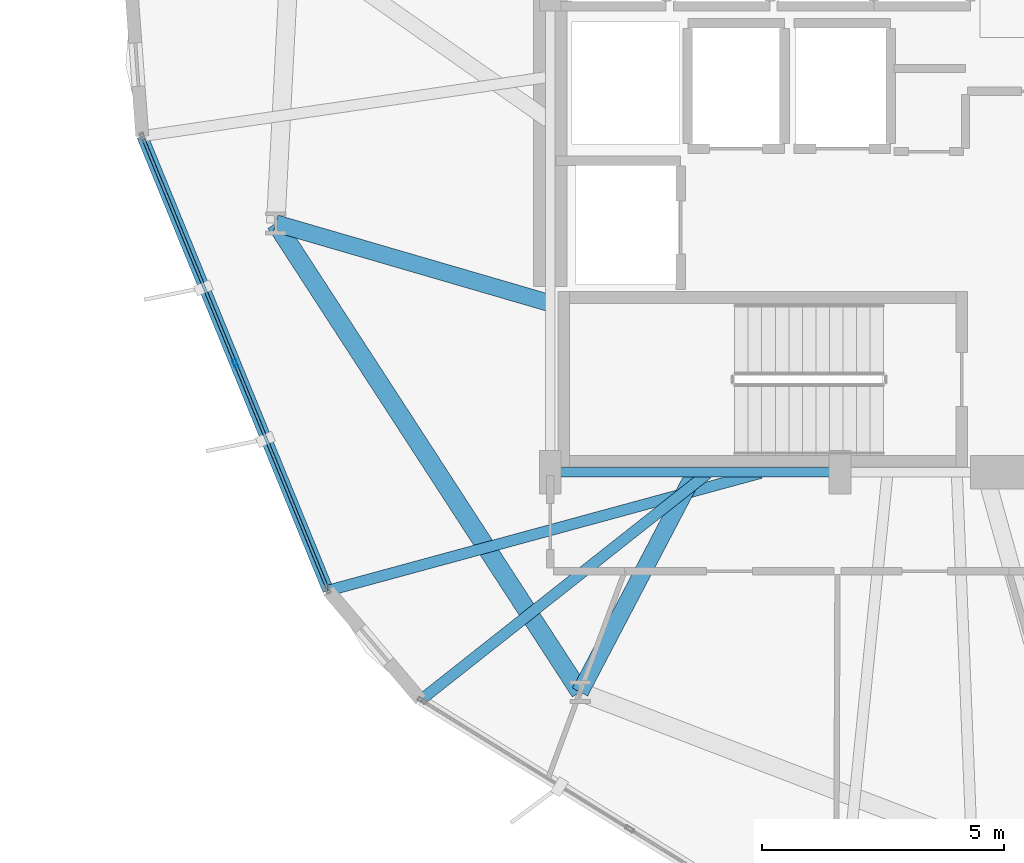
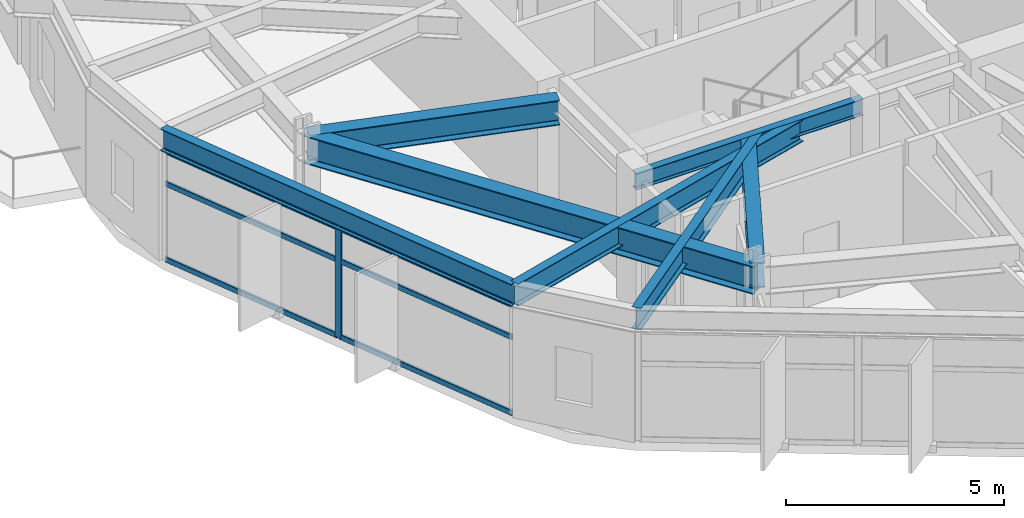
# One storey, part 3 of 22: 7 beams, 7 members, 1 element without a shape of its own.
"""IFC4 building model written with IfcOpenShell, lengths in metres."""

from ifc_helpers import new_model, si_unit, direction, frame, origin, origin_2d, place, context, subcontext, project, spatial, hollow_rectangle, i_section, extrude, material, layer, layer_set, material_profile, profile_set, type_object, element, aggregate, save


model = new_model("IFC4")

# Units and contexts
model_context = context("Model", 3, precision=1e-05, world=origin(), true_north=direction((0.0, 1.0)))
body_context = subcontext(model_context, "Body", "Model", "MODEL_VIEW")
ifc_project = project(units=[si_unit("LENGTHUNIT", "METRE"), si_unit("AREAUNIT", "SQUARE_METRE"), si_unit("VOLUMEUNIT", "CUBIC_METRE"), si_unit("PLANEANGLEUNIT", "RADIAN"), si_unit("MASSUNIT", "GRAM", prefix="KILO")], contexts=[model_context])

# Site, building, storey
site_placement = place(None, origin())
site = spatial("IfcSite", under=ifc_project, at=site_placement, CompositionType="ELEMENT")
building_placement = place(site_placement, origin())
building = spatial("IfcBuilding", under=site, at=building_placement, Name="Soratama Intermodal Tower", CompositionType="ELEMENT")
storey_placement = place(building_placement, frame((0.0, 0.0, 46.60009765625)))
storey = spatial("IfcBuildingStorey", under=building, at=storey_placement, Name="L10", CompositionType="ELEMENT", Elevation=46.60009765625)

# Beams
ifc_material_1 = material(Name="Structural steel ASTM A992 Grade 50", Category="steel")
ifc_material_profile_1 = material_profile(ifc_material_1, i_section(OverallWidth=0.19091796875, OverallDepth=0.4599609375, WebThickness=0.010009765625, FlangeThickness=0.01611328125, FilletRadius=0.010986328125, at=origin_2d()), Name="W18X55")
ifc_profile_set_1 = profile_set([ifc_material_profile_1], Name="Structural steel ASTM A992 Grade 50")
beam_type_1 = type_object("IfcBeamType", Name="BM-FLR-W18X55", PredefinedType="BEAM", material=ifc_profile_set_1)
beam_1_placement = place(storey_placement, frame((32.60009765625, 15.0, 3.469970703125), z_axis=(1.0, 0.0, 0.0), x_axis=(0.0, 1.0, 0.0)))
element("IfcBeam", 1, at=beam_1_placement, inside=storey, type_object=beam_type_1, Name="BM-L10-CRING-01", PredefinedType="BEAM", context=body_context, shape_type="SweptSolid", body=[
    extrude(i_section(OverallWidth=0.19091796875, OverallDepth=0.4599609375, WebThickness=0.010009765625, FlangeThickness=0.01611328125, FilletRadius=0.010986328125, at=origin_2d()), origin(), (0.0, 0.0, 1.0), 6.0),
])
ifc_material_2 = material(Name="Structural steel ASTM A992 Grade 50", Category="steel")
ifc_material_profile_2 = material_profile(ifc_material_2, i_section(OverallWidth=0.35498046875, OverallDepth=0.695068359375, WebThickness=0.015380859375, FlangeThickness=0.02490234375, FilletRadius=0.01611328125, at=origin_2d()), Name="W27X146")
ifc_profile_set_2 = profile_set([ifc_material_profile_2], Name="Structural steel ASTM A992 Grade 50")
beam_type_2 = type_object("IfcBeamType", Name="BM-RING-W27X146", PredefinedType="BEAM", material=ifc_profile_set_2)
beam_2_placement = place(storey_placement, frame((32.60009765625, 18.5, 3.352294921875), z_axis=(-0.960102504931, 0.279648314898, 0.0), x_axis=(-0.279648314898, -0.960102504931, 0.0)))
element("IfcBeam", 2, at=beam_2_placement, inside=storey, type_object=beam_type_2, Name="BM-L10-RAD-06", PredefinedType="BEAM", context=body_context, shape_type="SweptSolid", body=[
    extrude(i_section(OverallWidth=0.35498046875, OverallDepth=0.695068359375, WebThickness=0.015380859375, FlangeThickness=0.02490234375, FilletRadius=0.01611328125, at=origin_2d()), origin(), (0.0, 0.0, 1.0), 5.918212890625),
])
beam_3_placement = place(storey_placement, frame((35.60009765625, 15.0, 3.352294921875), z_axis=(-0.463818619792, -0.885930182314, 0.0), x_axis=(0.885930182314, -0.463818619792, 0.0)))
element("IfcBeam", 3, at=beam_3_placement, inside=storey, type_object=beam_type_2, Name="BM-L10-RAD-07", PredefinedType="BEAM", context=body_context, shape_type="SweptSolid", body=[
    extrude(i_section(OverallWidth=0.35498046875, OverallDepth=0.695068359375, WebThickness=0.015380859375, FlangeThickness=0.02490234375, FilletRadius=0.01611328125, at=origin_2d()), origin(), (0.0, 0.0, 1.0), 5.1337890625),
])
ifc_material_3 = material(Name="Structural steel ASTM A992 Grade 50", Category="steel")
ifc_material_profile_3 = material_profile(ifc_material_3, i_section(OverallWidth=0.382080078125, OverallDepth=0.779052734375, WebThickness=0.01806640625, FlangeThickness=0.030029296875, FilletRadius=0.01806640625, at=origin_2d()), Name="W30X191")
ifc_profile_set_3 = profile_set([ifc_material_profile_3], Name="Structural steel ASTM A992 Grade 50")
beam_type_3 = type_object("IfcBeamType", Name="BM-RING-W30X191", PredefinedType="BEAM", material=ifc_profile_set_3)
beam_4_placement = place(storey_placement, frame((26.91796875, 20.155029296875, 3.310302734375), z_axis=(0.544623370352, -0.838680740489, 0.0), x_axis=(0.838680740489, 0.544623370352, 0.0)))
element("IfcBeam", 4, at=beam_4_placement, inside=storey, type_object=beam_type_3, Name="BM-L10-RING-06", PredefinedType="BEAM", context=body_context, shape_type="SweptSolid", body=[
    extrude(i_section(OverallWidth=0.382080078125, OverallDepth=0.779052734375, WebThickness=0.01806640625, FlangeThickness=0.030029296875, FilletRadius=0.01806640625, at=origin_2d()), origin(), (0.0, 0.0, 1.0), 11.569580078125),
])
ifc_material_4 = material(Name="Structural steel ASTM A992 Grade 50", Category="steel")
ifc_material_profile_4 = material_profile(ifc_material_4, i_section(OverallWidth=0.22900390625, OverallDepth=0.612060546875, WebThickness=0.011962890625, FlangeThickness=0.01953125, FilletRadius=0.012939453125, at=origin_2d()), Name="W24X84")
ifc_profile_set_4 = profile_set([ifc_material_profile_4], Name="Structural steel ASTM A992 Grade 50")
beam_type_4 = type_object("IfcBeamType", Name="BM-SPN-W24X84", PredefinedType="SPANDREL", material=ifc_profile_set_4)
beam_5_placement = place(storey_placement, frame((24.155029296875, 21.9599609375, 3.393798828125), z_axis=(0.378832022894, -0.925465449614, 0.0), x_axis=(0.925465449614, 0.378832022894, 0.0)))
element("IfcBeam", 5, at=beam_5_placement, inside=storey, type_object=beam_type_4, Name="BS-L10-F06", PredefinedType="SPANDREL", context=body_context, shape_type="SweptSolid", body=[
    extrude(i_section(OverallWidth=0.22900390625, OverallDepth=0.612060546875, WebThickness=0.011962890625, FlangeThickness=0.01953125, FilletRadius=0.012939453125, at=origin_2d()), origin(), (0.0, 0.0, 1.0), 10.165771484375),
])
ifc_material_5 = material(Name="Structural steel ASTM A992 Grade 50", Category="steel")
ifc_material_profile_5 = material_profile(ifc_material_5, i_section(OverallWidth=0.22900390625, OverallDepth=0.612060546875, WebThickness=0.011962890625, FlangeThickness=0.01953125, FilletRadius=0.012939453125, at=origin_2d()), Name="W24X84")
ifc_profile_set_5 = profile_set([ifc_material_profile_5], Name="Structural steel ASTM A992 Grade 50")
beam_type_5 = type_object("IfcBeamType", Name="BM-TIE-W24X84", PredefinedType="BEAM", material=ifc_profile_set_5)
beam_6_placement = place(storey_placement, frame((36.962890625, 14.989013671875, 3.393798828125), z_axis=(-0.964920850719, -0.262540952705, 0.0), x_axis=(0.262540952705, -0.964920850719, 0.0)))
element("IfcBeam", 6, at=beam_6_placement, inside=storey, type_object=beam_type_5, Name="BM-L10-TIE1-06", PredefinedType="BEAM", context=body_context, shape_type="SweptSolid", body=[
    extrude(i_section(OverallWidth=0.22900390625, OverallDepth=0.612060546875, WebThickness=0.011962890625, FlangeThickness=0.01953125, FilletRadius=0.012939453125, at=origin_2d()), origin(), (0.0, 0.0, 1.0), 9.282470703125),
])
beam_7_placement = place(storey_placement, frame((35.85791015625, 14.97509765625, 3.393798828125), z_axis=(-0.784777805595, -0.619777214687, 0.0), x_axis=(0.619777214687, -0.784777805595, 0.0)))
element("IfcBeam", 7, at=beam_7_placement, inside=storey, type_object=beam_type_5, Name="BM-L10-TIE0-07", PredefinedType="BEAM", context=body_context, shape_type="SweptSolid", body=[
    extrude(i_section(OverallWidth=0.22900390625, OverallDepth=0.612060546875, WebThickness=0.011962890625, FlangeThickness=0.01953125, FilletRadius=0.012939453125, at=origin_2d()), origin(), (0.0, 0.0, 1.0), 7.5625),
])

# Curtain wall, members
ifc_material_6 = material(Name="Double-glazed aluminium curtain wall", Category="aluminium")
ifc_layer = layer(ifc_material_6, 0.159912109375)
ifc_layer_set = layer_set([ifc_layer], Name="Double-glazed aluminium curtain wall")
curtain_wall_type = type_object("IfcCurtainWallType", Name="CW-SYS-2", PredefinedType="NOTDEFINED", material=ifc_layer_set)
curtain_wall_placement = place(storey_placement, origin())
curtain_wall = element("IfcCurtainWall", 8, at=curtain_wall_placement, inside=storey, type_object=curtain_wall_type, Name="L10 Faceted Curtain Wall F06", PredefinedType="NOTDEFINED")
ifc_material_7 = material(Name="Anodised aluminium AA 6063-T6", Category="aluminium")
ifc_material_profile_6 = material_profile(ifc_material_7, hollow_rectangle(XDim=0.074951171875, YDim=0.179931640625, WallThickness=0.006103515625, InnerFilletRadius=0.006103515625, OuterFilletRadius=0.011962890625, at=origin_2d()), Name="CWM180X75X6")
ifc_profile_set_6 = profile_set([ifc_material_profile_6], Name="Anodised aluminium AA 6063-T6")
member_type_1 = type_object("IfcMemberType", Name="MT-CWM-2", PredefinedType="MULLION", material=ifc_profile_set_6)
member_1_placement = place(storey_placement, frame((26.080810546875, 17.256103515625, 0.0), z_axis=(0.0, 0.0, 1.0), x_axis=(0.925473287982, 0.378812873636, 0.0)))
member_1 = element("IfcMember", 9, at=member_1_placement, type_object=member_type_1, Name="CW-2 mullion 2", PredefinedType="MULLION", context=body_context, shape_type="SweptSolid", body=[
    extrude(hollow_rectangle(XDim=0.074951171875, YDim=0.179931640625, WallThickness=0.006103515625, InnerFilletRadius=0.006103515625, OuterFilletRadius=0.011962890625, at=origin_2d()), origin(), (0.0, 0.0, 1.0), 3.078857421875),
])
ifc_material_8 = material(Name="Anodised aluminium AA 6063-T6", Category="aluminium")
ifc_material_profile_7 = material_profile(ifc_material_8, hollow_rectangle(XDim=0.06494140625, YDim=0.14990234375, WallThickness=0.0048828125, InnerFilletRadius=0.0048828125, OuterFilletRadius=0.010009765625, at=origin_2d()), Name="CWT150X65X5")
ifc_profile_set_7 = profile_set([ifc_material_profile_7], Name="Anodised aluminium AA 6063-T6")
member_type_2 = type_object("IfcMemberType", Name="TT-CWT-1", PredefinedType="USERDEFINED", material=ifc_profile_set_7)
member_2_placement = place(storey_placement, frame((24.17822265625, 21.904296875, 0.02978515625), z_axis=(0.378840386539, -0.925462025978, 0.0), x_axis=(0.925462025978, 0.378840386539, 0.0)))
member_2 = element("IfcMember", 10, at=member_2_placement, type_object=member_type_2, Name="CW-2 transom 1.1", ObjectType="TRANSOM", PredefinedType="USERDEFINED", context=body_context, shape_type="SweptSolid", body=[
    extrude(hollow_rectangle(XDim=0.06494140625, YDim=0.14990234375, WallThickness=0.0048828125, InnerFilletRadius=0.0048828125, OuterFilletRadius=0.010009765625, at=origin_2d()), origin(), (0.0, 0.0, 1.0), 4.992431640625),
])
member_3_placement = place(storey_placement, frame((24.17822265625, 21.904296875, 2.14990234375), z_axis=(0.378840386539, -0.925462025978, 0.0), x_axis=(0.925462025978, 0.378840386539, 0.0)))
member_3 = element("IfcMember", 11, at=member_3_placement, type_object=member_type_2, Name="CW-2 transom 1.2", ObjectType="TRANSOM", PredefinedType="USERDEFINED", context=body_context, shape_type="SweptSolid", body=[
    extrude(hollow_rectangle(XDim=0.06494140625, YDim=0.14990234375, WallThickness=0.0048828125, InnerFilletRadius=0.0048828125, OuterFilletRadius=0.010009765625, at=origin_2d()), origin(), (0.0, 0.0, 1.0), 4.992431640625),
])
member_4_placement = place(storey_placement, frame((24.17822265625, 21.904296875, 3.048828125), z_axis=(0.378840386539, -0.925462025978, 0.0), x_axis=(0.925462025978, 0.378840386539, 0.0)))
member_4 = element("IfcMember", 12, at=member_4_placement, type_object=member_type_2, Name="CW-2 transom 1.3", ObjectType="TRANSOM", PredefinedType="USERDEFINED", context=body_context, shape_type="SweptSolid", body=[
    extrude(hollow_rectangle(XDim=0.06494140625, YDim=0.14990234375, WallThickness=0.0048828125, InnerFilletRadius=0.0048828125, OuterFilletRadius=0.010009765625, at=origin_2d()), origin(), (0.0, 0.0, 1.0), 4.992431640625),
])
member_5_placement = place(storey_placement, frame((26.09228515625, 17.228271484375, 0.02978515625), z_axis=(0.378798502169, -0.925479170352, 0.0), x_axis=(0.925479170352, 0.378798502169, 0.0)))
member_5 = element("IfcMember", 13, at=member_5_placement, type_object=member_type_2, Name="CW-2 transom 2.1", ObjectType="TRANSOM", PredefinedType="USERDEFINED", context=body_context, shape_type="SweptSolid", body=[
    extrude(hollow_rectangle(XDim=0.06494140625, YDim=0.14990234375, WallThickness=0.0048828125, InnerFilletRadius=0.0048828125, OuterFilletRadius=0.010009765625, at=origin_2d()), origin(), (0.0, 0.0, 1.0), 4.992431640625),
])
member_6_placement = place(storey_placement, frame((26.09228515625, 17.228271484375, 2.14990234375), z_axis=(0.378798502169, -0.925479170352, 0.0), x_axis=(0.925479170352, 0.378798502169, 0.0)))
member_6 = element("IfcMember", 14, at=member_6_placement, type_object=member_type_2, Name="CW-2 transom 2.2", ObjectType="TRANSOM", PredefinedType="USERDEFINED", context=body_context, shape_type="SweptSolid", body=[
    extrude(hollow_rectangle(XDim=0.06494140625, YDim=0.14990234375, WallThickness=0.0048828125, InnerFilletRadius=0.0048828125, OuterFilletRadius=0.010009765625, at=origin_2d()), origin(), (0.0, 0.0, 1.0), 4.992431640625),
])
member_7_placement = place(storey_placement, frame((26.09228515625, 17.228271484375, 3.048828125), z_axis=(0.378798502169, -0.925479170352, 0.0), x_axis=(0.925479170352, 0.378798502169, 0.0)))
member_7 = element("IfcMember", 15, at=member_7_placement, type_object=member_type_2, Name="CW-2 transom 2.3", ObjectType="TRANSOM", PredefinedType="USERDEFINED", context=body_context, shape_type="SweptSolid", body=[
    extrude(hollow_rectangle(XDim=0.06494140625, YDim=0.14990234375, WallThickness=0.0048828125, InnerFilletRadius=0.0048828125, OuterFilletRadius=0.010009765625, at=origin_2d()), origin(), (0.0, 0.0, 1.0), 4.992431640625),
])
aggregate(curtain_wall, [member_1, member_2, member_3, member_4, member_5, member_6, member_7])

save(model, "model.ifc")
